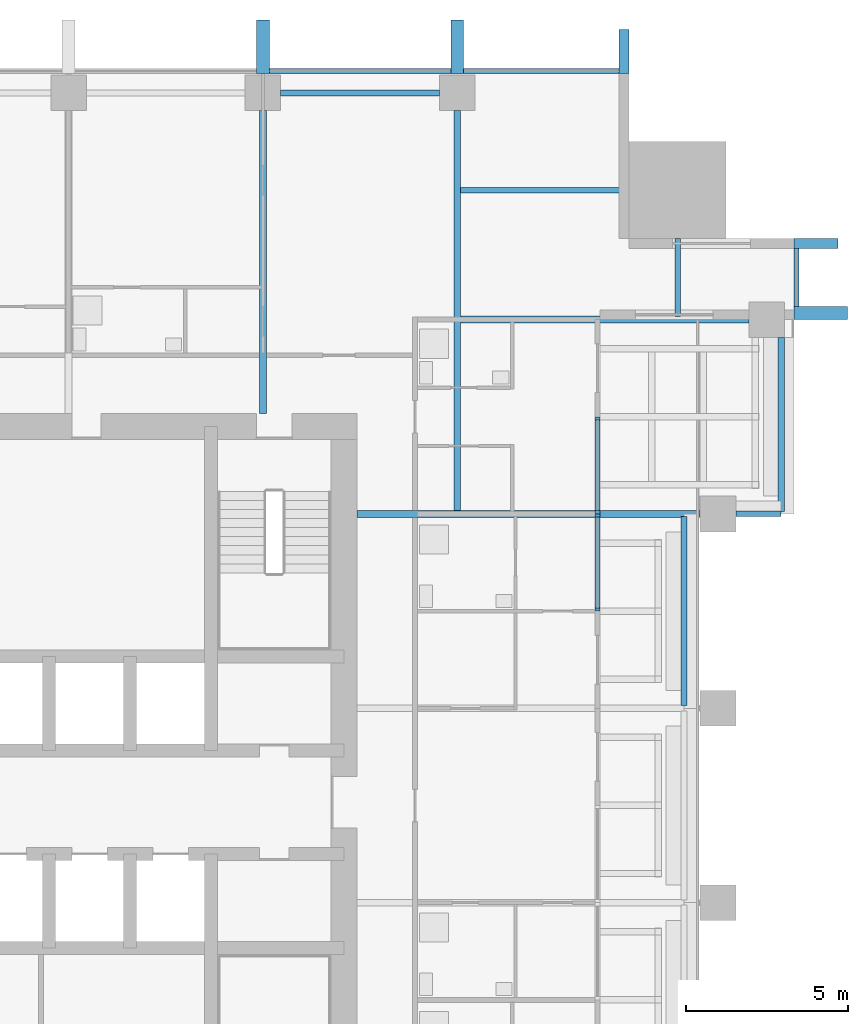
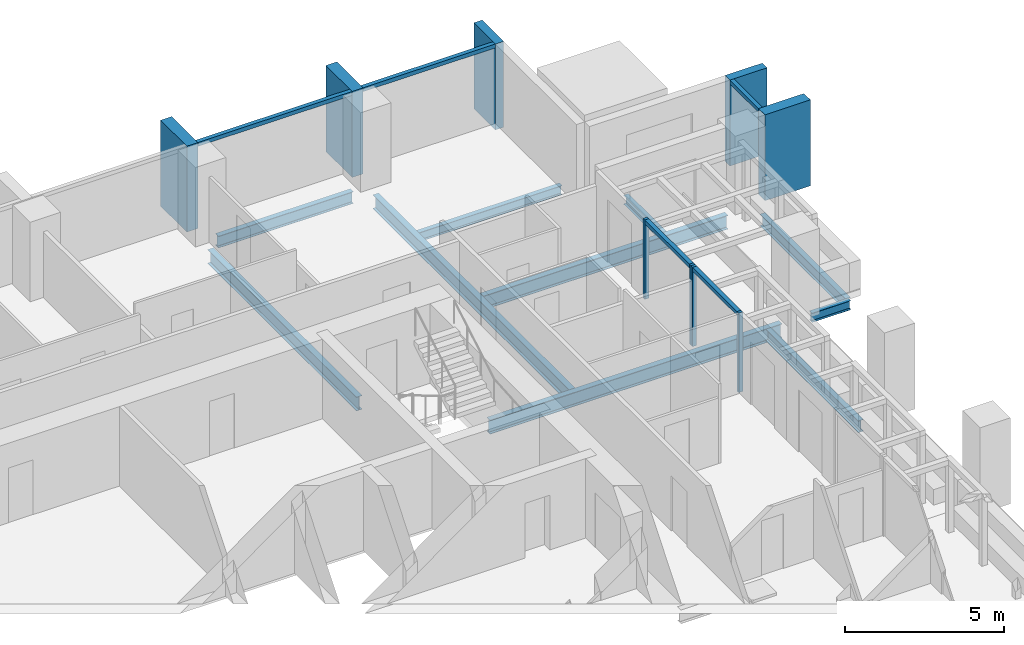
# One storey, part 5 of 16: 14 members, 10 beams, 4 elements without a shape of their own.
"""IFC4 building model written with IfcOpenShell, lengths in metres."""

from ifc_helpers import new_model, si_unit, direction, frame, origin, origin_2d, place, context, subcontext, project, spatial, rectangle, i_section, extrude, material, material_profile, profile_set, type_object, element, aggregate, save


model = new_model("IFC4")

# Units and contexts
model_context = context("Model", 3, precision=1e-05, world=origin(), true_north=direction((0.0, 1.0)))
body_context = subcontext(model_context, "Body", "Model", "MODEL_VIEW")
ifc_project = project(units=[si_unit("LENGTHUNIT", "METRE"), si_unit("AREAUNIT", "SQUARE_METRE"), si_unit("VOLUMEUNIT", "CUBIC_METRE"), si_unit("PLANEANGLEUNIT", "RADIAN"), si_unit("MASSUNIT", "GRAM", prefix="KILO")], contexts=[model_context])

# Site, building, storey
site_placement = place(None, origin())
site = spatial("IfcSite", under=ifc_project, at=site_placement, CompositionType="ELEMENT")
building_placement = place(site_placement, origin())
building = spatial("IfcBuilding", under=site, at=building_placement, Name="Amberfall Residences", CompositionType="ELEMENT")
storey_placement = place(building_placement, frame((0.0, 0.0, 108.39990234375)))
storey = spatial("IfcBuildingStorey", under=building, at=storey_placement, Name="L29", CompositionType="ELEMENT", Elevation=108.39990234375)

# Curtain wall, member
ifc_material_1 = material(Name="Bronze anodised aluminium and glass", Category="aluminium")
curtain_wall_type_1 = type_object("IfcCurtainWallType", Name="Curtain wall CW1 tower unit", PredefinedType="USERDEFINED", material=ifc_material_1)
curtain_wall_1_placement = place(storey_placement, origin())
curtain_wall_1 = element("IfcCurtainWall", 1, at=curtain_wall_1_placement, inside=storey, type_object=curtain_wall_type_1, Name="Curtain wall L29 E E9", ObjectType="UNITISED CURTAIN WALL", PredefinedType="USERDEFINED")
ifc_material_2 = material(Name="Bronze anodised aluminium", Category="aluminium")
ifc_material_profile_1 = material_profile(ifc_material_2, rectangle(XDim=0.14990234375, YDim=0.14990234375, at=origin_2d()), Name="CW1 transom 150 x 150 bronze")
ifc_profile_set_1 = profile_set([ifc_material_profile_1], Name="Bronze anodised aluminium")
member_type_1 = type_object("IfcMemberType", Name="CW1 transom 150 x 150 bronze", PredefinedType="USERDEFINED", material=ifc_profile_set_1)
member_1_placement = place(storey_placement, frame((100.074951171875, 60.800048828125, 2.97509765625), z_axis=(0.0, 1.0, 0.0), x_axis=(-1.0, 0.0, 0.0)))
member_1 = element("IfcMember", 2, at=member_1_placement, type_object=member_type_1, Name="CW1 transom 1.1", ObjectType="TRANSOM", PredefinedType="USERDEFINED", context=body_context, shape_type="SweptSolid", body=[
    extrude(rectangle(XDim=0.14990234375, YDim=0.14990234375, at=origin_2d()), origin(), (0.0, 0.0, 1.0), 1.800048828125),
])

# Curtain wall, members
curtain_wall_2_placement = place(storey_placement, origin())
curtain_wall_2 = element("IfcCurtainWall", 3, at=curtain_wall_2_placement, inside=storey, type_object=curtain_wall_type_1, Name="Curtain wall L29 N N1", ObjectType="UNITISED CURTAIN WALL", PredefinedType="USERDEFINED")
member_2_placement = place(storey_placement, frame((94.60009765625, 68.074951171875, 2.97509765625), z_axis=(-1.0, 0.0, 0.0), x_axis=(0.0, -1.0, 0.0)))
member_2 = element("IfcMember", 4, at=member_2_placement, type_object=member_type_1, Name="CW1 transom 1.1", ObjectType="TRANSOM", PredefinedType="USERDEFINED", context=body_context, shape_type="SweptSolid", body=[
    extrude(rectangle(XDim=0.14990234375, YDim=0.14990234375, at=origin_2d()), origin(), (0.0, 0.0, 1.0), 4.800048828125),
])
member_3_placement = place(storey_placement, frame((89.39990234375, 68.074951171875, 2.97509765625), z_axis=(-1.0, 0.0, 0.0), x_axis=(0.0, -1.0, 0.0)))
member_3 = element("IfcMember", 5, at=member_3_placement, type_object=member_type_1, Name="CW1 transom 2.1", ObjectType="TRANSOM", PredefinedType="USERDEFINED", context=body_context, shape_type="SweptSolid", body=[
    extrude(rectangle(XDim=0.14990234375, YDim=0.14990234375, at=origin_2d()), origin(), (0.0, 0.0, 1.0), 5.599853515625),
])

curtain_wall_type_2 = type_object("IfcCurtainWallType", Name="Curtain wall CW3 sky garden glazing", PredefinedType="USERDEFINED", material=ifc_material_1)
curtain_wall_3_placement = place(storey_placement, origin())
curtain_wall_3 = element("IfcCurtainWall", 6, at=curtain_wall_3_placement, inside=storey, type_object=curtain_wall_type_2, Name="Curtain wall L29 E E6", ObjectType="UNITISED CURTAIN WALL", PredefinedType="USERDEFINED")
ifc_material_profile_2 = material_profile(ifc_material_2, rectangle(XDim=0.14990234375, YDim=0.10009765625, at=origin_2d()), Name="CW3 mullion 100 x 150 bronze")
ifc_profile_set_2 = profile_set([ifc_material_profile_2], Name="Bronze anodised aluminium")
member_type_2 = type_object("IfcMemberType", Name="CW3 mullion 100 x 150 bronze", PredefinedType="MULLION", material=ifc_profile_set_2)
member_4_placement = place(storey_placement, frame((93.925048828125, 51.449951171875, 0.0), z_axis=(0.0, 0.0, 1.0), x_axis=(-1.0, 0.0, 0.0)))
member_4 = element("IfcMember", 7, at=member_4_placement, type_object=member_type_2, Name="CW3 mullion 1", PredefinedType="MULLION", context=body_context, shape_type="SweptSolid", body=[
    extrude(rectangle(XDim=0.14990234375, YDim=0.10009765625, at=origin_2d()), origin(), (0.0, 0.0, 1.0), 3.050048828125),
])
member_5_placement = place(storey_placement, frame((93.925048828125, 54.35009765625, 0.0), z_axis=(0.0, 0.0, 1.0), x_axis=(-1.0, 0.0, 0.0)))
member_5 = element("IfcMember", 8, at=member_5_placement, type_object=member_type_2, Name="CW3 mullion 2", PredefinedType="MULLION", context=body_context, shape_type="SweptSolid", body=[
    extrude(rectangle(XDim=0.14990234375, YDim=0.10009765625, at=origin_2d()), origin(), (0.0, 0.0, 1.0), 3.050048828125),
])

curtain_wall_4_placement = place(storey_placement, origin())
curtain_wall_4 = element("IfcCurtainWall", 9, at=curtain_wall_4_placement, inside=storey, type_object=curtain_wall_type_2, Name="Curtain wall L29 E E7", ObjectType="UNITISED CURTAIN WALL", PredefinedType="USERDEFINED")
member_6_placement = place(storey_placement, frame((93.925048828125, 54.449951171875, 0.0), z_axis=(0.0, 0.0, 1.0), x_axis=(-1.0, 0.0, 0.0)))
member_6 = element("IfcMember", 10, at=member_6_placement, type_object=member_type_2, Name="CW3 mullion 1", PredefinedType="MULLION", context=body_context, shape_type="SweptSolid", body=[
    extrude(rectangle(XDim=0.14990234375, YDim=0.10009765625, at=origin_2d()), origin(), (0.0, 0.0, 1.0), 3.050048828125),
])
member_7_placement = place(storey_placement, frame((93.925048828125, 57.35009765625, 0.0), z_axis=(0.0, 0.0, 1.0), x_axis=(-1.0, 0.0, 0.0)))
member_7 = element("IfcMember", 11, at=member_7_placement, type_object=member_type_2, Name="CW3 mullion 2", PredefinedType="MULLION", context=body_context, shape_type="SweptSolid", body=[
    extrude(rectangle(XDim=0.14990234375, YDim=0.10009765625, at=origin_2d()), origin(), (0.0, 0.0, 1.0), 3.050048828125),
])

# Member
ifc_material_profile_3 = material_profile(ifc_material_2, rectangle(XDim=0.14990234375, YDim=0.14990234375, at=origin_2d()), Name="CW3 transom 150 x 150 bronze")
ifc_profile_set_3 = profile_set([ifc_material_profile_3], Name="Bronze anodised aluminium")
member_type_3 = type_object("IfcMemberType", Name="CW3 transom 150 x 150 bronze", PredefinedType="USERDEFINED", material=ifc_profile_set_3)
member_8_placement = place(storey_placement, frame((93.925048828125, 51.5, 2.97509765625), z_axis=(0.0, 1.0, 0.0), x_axis=(-1.0, 0.0, 0.0)))
member_8 = element("IfcMember", 12, at=member_8_placement, type_object=member_type_3, Name="CW3 transom 1.1", ObjectType="TRANSOM", PredefinedType="USERDEFINED", context=body_context, shape_type="SweptSolid", body=[
    extrude(rectangle(XDim=0.14990234375, YDim=0.14990234375, at=origin_2d()), origin(), (0.0, 0.0, 1.0), 2.800048828125),
])

aggregate(curtain_wall_3, [member_4, member_5, member_8])

member_9_placement = place(storey_placement, frame((93.925048828125, 54.5, 2.97509765625), z_axis=(0.0, 1.0, 0.0), x_axis=(-1.0, 0.0, 0.0)))
member_9 = element("IfcMember", 13, at=member_9_placement, type_object=member_type_3, Name="CW3 transom 1.1", ObjectType="TRANSOM", PredefinedType="USERDEFINED", context=body_context, shape_type="SweptSolid", body=[
    extrude(rectangle(XDim=0.14990234375, YDim=0.14990234375, at=origin_2d()), origin(), (0.0, 0.0, 1.0), 2.800048828125),
])

aggregate(curtain_wall_4, [member_6, member_7, member_9])

# Beam
ifc_material_3 = material(Name="Steel S355", Category="steel")
ifc_material_profile_4 = material_profile(ifc_material_3, i_section(OverallWidth=0.171142578125, OverallDepth=0.351318359375, WebThickness=0.007080078125, FlangeThickness=0.009765625, FilletRadius=0.01025390625, at=origin_2d()), Name="UB 356x171x45")
ifc_profile_set_4 = profile_set([ifc_material_profile_4], Name="Steel S355")
beam_type_1 = type_object("IfcBeamType", Name="Cantilever girder UB 356x171x45", PredefinedType="BEAM", material=ifc_profile_set_4)
beam_1_placement = place(storey_placement, frame((98.199951171875, 54.39990234375, -0.425537109375), z_axis=(1.0, 0.0, 0.0), x_axis=(0.0, 1.0, 0.0)))
element("IfcBeam", 14, at=beam_1_placement, inside=storey, type_object=beam_type_1, Name="Cantilever girder B8 L29 20", PredefinedType="BEAM", context=body_context, shape_type="SweptSolid", body=[
    extrude(i_section(OverallWidth=0.171142578125, OverallDepth=0.351318359375, WebThickness=0.007080078125, FlangeThickness=0.009765625, FilletRadius=0.01025390625, at=origin_2d()), origin(), (0.0, 0.0, 1.0), 1.400146484375),
])

# Member
ifc_material_profile_5 = material_profile(ifc_material_2, rectangle(XDim=1.35009765625, YDim=0.300048828125, at=origin_2d()), Name="Corner fin 300 x 1350 bronze")
ifc_profile_set_5 = profile_set([ifc_material_profile_5], Name="Bronze anodised aluminium")
member_type_4 = type_object("IfcMemberType", Name="Corner fin 300 x 1350 bronze", PredefinedType="MULLION", material=ifc_profile_set_5)
member_10_placement = place(storey_placement, frame((100.675048828125, 62.75, -0.25), z_axis=(0.0, 0.0, 1.0), x_axis=(-1.0, 0.0, 0.0)))
member_10 = element("IfcMember", 15, at=member_10_placement, type_object=member_type_4, Name="CW FIN 2", PredefinedType="MULLION", context=body_context, shape_type="SweptSolid", body=[
    extrude(rectangle(XDim=1.35009765625, YDim=0.300048828125, at=origin_2d()), origin(), (0.0, 0.0, 1.0), 3.300048828125),
])

member_11_placement = place(storey_placement, frame((94.75, 68.675048828125, -0.25), z_axis=(0.0, 0.0, 1.0), x_axis=(0.0, -1.0, 0.0)))
member_11 = element("IfcMember", 16, at=member_11_placement, type_object=member_type_4, Name="CW FIN 1", PredefinedType="MULLION", context=body_context, shape_type="SweptSolid", body=[
    extrude(rectangle(XDim=1.35009765625, YDim=0.300048828125, at=origin_2d()), origin(), (0.0, 0.0, 1.0), 3.300048828125),
])

# Beams
ifc_material_profile_6 = material_profile(ifc_material_3, i_section(OverallWidth=0.18994140625, OverallDepth=0.453369140625, WebThickness=0.008544921875, FlangeThickness=0.0126953125, FilletRadius=0.01025390625, at=origin_2d()), Name="UB 457x191x67")
ifc_profile_set_6 = profile_set([ifc_material_profile_6], Name="Steel S355")
beam_type_2 = type_object("IfcBeamType", Name="Edge beam UB 457x191x67", PredefinedType="SPANDREL", material=ifc_profile_set_6)
beam_2_placement = place(storey_placement, frame((96.60009765625, 48.47998046875, -0.4765625), z_axis=(0.0, 1.0, 0.0), x_axis=(-1.0, 0.0, 0.0)))
element("IfcBeam", 17, at=beam_2_placement, inside=storey, type_object=beam_type_2, Name="Edge beam B1 L29 17", PredefinedType="SPANDREL", context=body_context, shape_type="SweptSolid", body=[
    extrude(i_section(OverallWidth=0.18994140625, OverallDepth=0.453369140625, WebThickness=0.008544921875, FlangeThickness=0.0126953125, FilletRadius=0.01025390625, at=origin_2d()), origin(), (0.0, 0.0, 1.0), 5.840087890625),
])
beam_3_placement = place(storey_placement, frame((99.60009765625, 54.47998046875, -0.4765625), z_axis=(0.0, 1.0, 0.0), x_axis=(-1.0, 0.0, 0.0)))
element("IfcBeam", 18, at=beam_3_placement, inside=storey, type_object=beam_type_2, Name="Edge beam B1 L29 18", PredefinedType="SPANDREL", context=body_context, shape_type="SweptSolid", body=[
    extrude(i_section(OverallWidth=0.18994140625, OverallDepth=0.453369140625, WebThickness=0.008544921875, FlangeThickness=0.0126953125, FilletRadius=0.01025390625, at=origin_2d()), origin(), (0.0, 0.0, 1.0), 5.3701171875),
])
beam_4_placement = place(storey_placement, frame((84.14990234375, 67.39990234375, -0.4765625), z_axis=(1.0, 0.0, 0.0), x_axis=(0.0, 1.0, 0.0)))
element("IfcBeam", 19, at=beam_4_placement, inside=storey, type_object=beam_type_2, Name="Edge beam B1 L29 31", PredefinedType="SPANDREL", context=body_context, shape_type="SweptSolid", body=[
    extrude(i_section(OverallWidth=0.18994140625, OverallDepth=0.453369140625, WebThickness=0.008544921875, FlangeThickness=0.0126953125, FilletRadius=0.01025390625, at=origin_2d()), origin(), (0.0, 0.0, 1.0), 4.900146484375),
])

# Member
ifc_material_profile_7 = material_profile(ifc_material_2, rectangle(XDim=1.64990234375, YDim=0.39990234375, at=origin_2d()), Name="Fin 400 x 1650 bronze")
ifc_profile_set_7 = profile_set([ifc_material_profile_7], Name="Bronze anodised aluminium")
member_type_5 = type_object("IfcMemberType", Name="Fin 400 x 1650 bronze", PredefinedType="MULLION", material=ifc_profile_set_7)
member_12_placement = place(storey_placement, frame((100.824951171875, 60.60009765625, -0.25), z_axis=(0.0, 0.0, 1.0), x_axis=(-1.0, 0.0, 0.0)))
member_12 = element("IfcMember", 20, at=member_12_placement, type_object=member_type_5, Name="CW FIN 1", PredefinedType="MULLION", context=body_context, shape_type="SweptSolid", body=[
    extrude(rectangle(XDim=1.64990234375, YDim=0.39990234375, at=origin_2d()), origin(), (0.0, 0.0, 1.0), 3.300048828125),
])

aggregate(curtain_wall_1, [member_12, member_10, member_1])

member_13_placement = place(storey_placement, frame((89.60009765625, 68.824951171875, -0.25), z_axis=(0.0, 0.0, 1.0), x_axis=(0.0, -1.0, 0.0)))
member_13 = element("IfcMember", 21, at=member_13_placement, type_object=member_type_5, Name="CW FIN 2", PredefinedType="MULLION", context=body_context, shape_type="SweptSolid", body=[
    extrude(rectangle(XDim=1.64990234375, YDim=0.39990234375, at=origin_2d()), origin(), (0.0, 0.0, 1.0), 3.300048828125),
])

member_14_placement = place(storey_placement, frame((83.60009765625, 68.824951171875, -0.25), z_axis=(0.0, 0.0, 1.0), x_axis=(0.0, -1.0, 0.0)))
member_14 = element("IfcMember", 22, at=member_14_placement, type_object=member_type_5, Name="CW FIN 3", PredefinedType="MULLION", context=body_context, shape_type="SweptSolid", body=[
    extrude(rectangle(XDim=1.64990234375, YDim=0.39990234375, at=origin_2d()), origin(), (0.0, 0.0, 1.0), 3.300048828125),
])

aggregate(curtain_wall_2, [member_11, member_13, member_14, member_2, member_3])

# Beams
ifc_material_profile_8 = material_profile(ifc_material_3, i_section(OverallWidth=0.210693359375, OverallDepth=0.53955078125, WebThickness=0.01171875, FlangeThickness=0.018798828125, FilletRadius=0.0126953125, at=origin_2d()), Name="UB 533x210x109")
ifc_profile_set_8 = profile_set([ifc_material_profile_8], Name="Steel S355")
beam_type_3 = type_object("IfcBeamType", Name="Floor girder UB 533x210x109", PredefinedType="BEAM", material=ifc_profile_set_8)
beam_5_placement = place(storey_placement, frame((89.60009765625, 66.85009765625, -0.51953125), z_axis=(0.0, -1.0, 0.0), x_axis=(1.0, 0.0, 0.0)))
element("IfcBeam", 23, at=beam_5_placement, inside=storey, type_object=beam_type_3, Name="Floor girder B2 L29 37", PredefinedType="BEAM", context=body_context, shape_type="SweptSolid", body=[
    extrude(i_section(OverallWidth=0.210693359375, OverallDepth=0.53955078125, WebThickness=0.01171875, FlangeThickness=0.018798828125, FilletRadius=0.0126953125, at=origin_2d()), origin(), (0.0, 0.0, 1.0), 12.3505859375),
])
ifc_material_profile_9 = material_profile(ifc_material_3, i_section(OverallWidth=0.209228515625, OverallDepth=0.533203125, WebThickness=0.010009765625, FlangeThickness=0.015625, FilletRadius=0.0126953125, at=origin_2d()), Name="UB 533x210x92")
ifc_profile_set_9 = profile_set([ifc_material_profile_9], Name="Steel S355")
beam_type_4 = type_object("IfcBeamType", Name="Floor girder UB 533x210x92", PredefinedType="BEAM", material=ifc_profile_set_9)
beam_6_placement = place(storey_placement, frame((97.10009765625, 54.39990234375, -0.516357421875), z_axis=(-1.0, 0.0, 0.0), x_axis=(0.0, -1.0, 0.0)))
element("IfcBeam", 24, at=beam_6_placement, inside=storey, type_object=beam_type_4, Name="Floor girder B3 L29 25", PredefinedType="BEAM", context=body_context, shape_type="SweptSolid", body=[
    extrude(i_section(OverallWidth=0.209228515625, OverallDepth=0.533203125, WebThickness=0.010009765625, FlangeThickness=0.015625, FilletRadius=0.0126953125, at=origin_2d()), origin(), (0.0, 0.0, 1.0), 10.60009765625),
])
beam_7_placement = place(storey_placement, frame((98.60009765625, 60.39990234375, -0.516357421875), z_axis=(-1.0, 0.0, 0.0), x_axis=(0.0, -1.0, 0.0)))
element("IfcBeam", 25, at=beam_7_placement, inside=storey, type_object=beam_type_4, Name="Floor girder B3 L29 26", PredefinedType="BEAM", context=body_context, shape_type="SweptSolid", body=[
    extrude(i_section(OverallWidth=0.209228515625, OverallDepth=0.533203125, WebThickness=0.010009765625, FlangeThickness=0.015625, FilletRadius=0.0126953125, at=origin_2d()), origin(), (0.0, 0.0, 1.0), 8.880126953125),
])
beam_8_placement = place(storey_placement, frame((83.60009765625, 66.85009765625, -0.516357421875), z_axis=(0.0, -1.0, 0.0), x_axis=(1.0, 0.0, 0.0)))
element("IfcBeam", 26, at=beam_8_placement, inside=storey, type_object=beam_type_4, Name="Floor girder B3 L29 36", PredefinedType="BEAM", context=body_context, shape_type="SweptSolid", body=[
    extrude(i_section(OverallWidth=0.209228515625, OverallDepth=0.533203125, WebThickness=0.010009765625, FlangeThickness=0.015625, FilletRadius=0.0126953125, at=origin_2d()), origin(), (0.0, 0.0, 1.0), 9.35009765625),
])
ifc_material_profile_10 = material_profile(ifc_material_3, i_section(OverallWidth=0.171142578125, OverallDepth=0.351318359375, WebThickness=0.007080078125, FlangeThickness=0.009765625, FilletRadius=0.01025390625, at=origin_2d()), Name="UB 356x171x45")
ifc_profile_set_10 = profile_set([ifc_material_profile_10], Name="Steel S355")
beam_type_5 = type_object("IfcBeamType", Name="Link beam UB 356x171x45", PredefinedType="BEAM", material=ifc_profile_set_10)
beam_9_placement = place(storey_placement, frame((94.89990234375, 64.39990234375, -0.425537109375), z_axis=(-1.0, 0.0, 0.0), x_axis=(0.0, -1.0, 0.0)))
element("IfcBeam", 27, at=beam_9_placement, inside=storey, type_object=beam_type_5, Name="Link beam B7 L29 54", PredefinedType="BEAM", context=body_context, shape_type="SweptSolid", body=[
    extrude(i_section(OverallWidth=0.171142578125, OverallDepth=0.351318359375, WebThickness=0.007080078125, FlangeThickness=0.009765625, FilletRadius=0.01025390625, at=origin_2d()), origin(), (0.0, 0.0, 1.0), 5.20458984375),
])
beam_10_placement = place(storey_placement, frame((96.39990234375, 62.89990234375, -0.425537109375), z_axis=(0.0, -1.0, 0.0), x_axis=(1.0, 0.0, 0.0)))
element("IfcBeam", 28, at=beam_10_placement, inside=storey, type_object=beam_type_5, Name="Link beam B7 L29 55", PredefinedType="BEAM", context=body_context, shape_type="SweptSolid", body=[
    extrude(i_section(OverallWidth=0.171142578125, OverallDepth=0.351318359375, WebThickness=0.007080078125, FlangeThickness=0.009765625, FilletRadius=0.01025390625, at=origin_2d()), origin(), (0.0, 0.0, 1.0), 2.4052734375),
])

save(model, "model.ifc")
